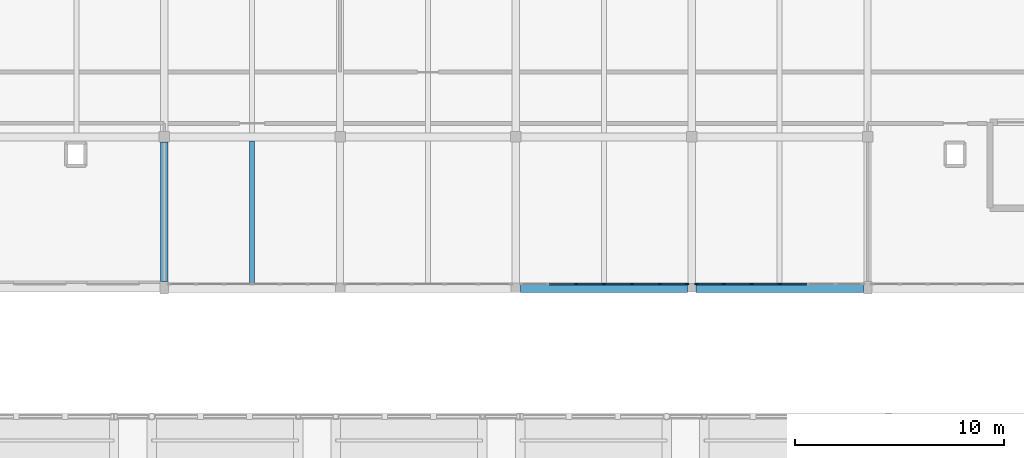
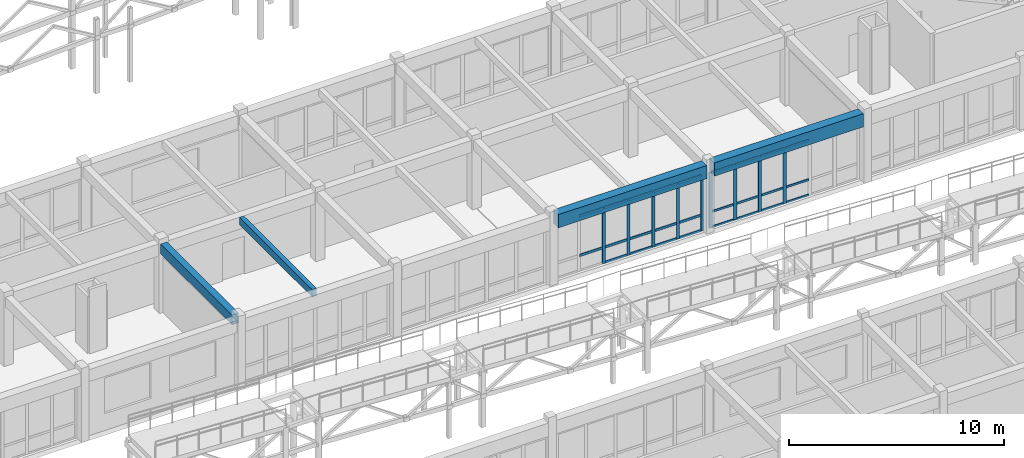
# One storey, part 30 of 89: 35 members, 4 beams, 2 elements without a shape of their own.
"""IFC4 building model written with IfcOpenShell, lengths in metres."""

from ifc_helpers import new_model, si_unit, direction, frame, origin, origin_2d, place, context, subcontext, project, spatial, rectangle, extrude, material, material_profile, profile_set, type_object, element, aggregate, save


model = new_model("IFC4")

# Units and contexts
model_context = context("Model", 3, precision=1e-05, world=origin(), true_north=direction((0.0, 1.0)))
body_context = subcontext(model_context, "Body", "Model", "MODEL_VIEW")
ifc_project = project(units=[si_unit("LENGTHUNIT", "METRE"), si_unit("AREAUNIT", "SQUARE_METRE"), si_unit("VOLUMEUNIT", "CUBIC_METRE"), si_unit("PLANEANGLEUNIT", "RADIAN"), si_unit("MASSUNIT", "GRAM", prefix="KILO")], contexts=[model_context])

# Site, building, storey
site_placement = place(None, origin())
site = spatial("IfcSite", under=ifc_project, at=site_placement, CompositionType="ELEMENT")
building_placement = place(site_placement, origin())
building = spatial("IfcBuilding", under=site, at=building_placement, Name="Malvenik Polytechnic", CompositionType="ELEMENT")
storey_placement = place(building_placement, frame((0.0, 0.0, 13.5)))
storey = spatial("IfcBuildingStorey", under=building, at=storey_placement, Name="L03", CompositionType="ELEMENT", Elevation=13.5)

# Curtain wall, members
ifc_material_1 = material(Name="Anodised aluminium 6060-T6", Category="aluminium")
curtain_wall_type = type_object("IfcCurtainWallType", Name="ARC-CW-CW-02", PredefinedType="NOTDEFINED", material=ifc_material_1)
curtain_wall_1_placement = place(storey_placement, origin())
curtain_wall_1 = element("IfcCurtainWall", 1, at=curtain_wall_1_placement, inside=storey, type_object=curtain_wall_type, Name="Unitised Curtain Wall CW-02 L03 #200", PredefinedType="NOTDEFINED")
ifc_material_2 = material(Name="Anodised aluminium", Category="aluminium")
ifc_material_profile_1 = material_profile(ifc_material_2, rectangle(XDim=0.06005859375, YDim=0.159912109375, at=origin_2d()), Name="ALU MULLION 60x160")
ifc_profile_set_1 = profile_set([ifc_material_profile_1], Name="Anodised aluminium")
member_type_1 = type_object("IfcMemberType", Name="ARC-CWM-160", PredefinedType="MULLION", material=ifc_profile_set_1)
member_1_placement = place(storey_placement, frame((58.572021484375, 79.3701171875, 0.0), z_axis=(0.0, 0.0, 1.0), x_axis=(0.0, -1.0, 0.0)))
member_1 = element("IfcMember", 2, at=member_1_placement, type_object=member_type_1, Name="CW-02 mullion 1", PredefinedType="MULLION", context=body_context, shape_type="SweptSolid", body=[
    extrude(rectangle(XDim=0.06005859375, YDim=0.159912109375, at=origin_2d()), origin(), (0.0, 0.0, 1.0), 3.159912109375),
])
member_2_placement = place(storey_placement, frame((57.272216796875, 79.3701171875, 0.0), z_axis=(0.0, 0.0, 1.0), x_axis=(0.0, -1.0, 0.0)))
member_2 = element("IfcMember", 3, at=member_2_placement, type_object=member_type_1, Name="CW-02 mullion 2", PredefinedType="MULLION", context=body_context, shape_type="SweptSolid", body=[
    extrude(rectangle(XDim=0.06005859375, YDim=0.159912109375, at=origin_2d()), origin(), (0.0, 0.0, 1.0), 3.159912109375),
])
member_3_placement = place(storey_placement, frame((55.9423828125, 79.3701171875, 0.0), z_axis=(0.0, 0.0, 1.0), x_axis=(0.0, -1.0, 0.0)))
member_3 = element("IfcMember", 4, at=member_3_placement, type_object=member_type_1, Name="CW-02 mullion 3", PredefinedType="MULLION", context=body_context, shape_type="SweptSolid", body=[
    extrude(rectangle(XDim=0.06005859375, YDim=0.159912109375, at=origin_2d()), origin(), (0.0, 0.0, 1.0), 3.159912109375),
])
member_4_placement = place(storey_placement, frame((54.612548828125, 79.3701171875, 0.0), z_axis=(0.0, 0.0, 1.0), x_axis=(0.0, -1.0, 0.0)))
member_4 = element("IfcMember", 5, at=member_4_placement, type_object=member_type_1, Name="CW-02 mullion 4", PredefinedType="MULLION", context=body_context, shape_type="SweptSolid", body=[
    extrude(rectangle(XDim=0.06005859375, YDim=0.159912109375, at=origin_2d()), origin(), (0.0, 0.0, 1.0), 3.159912109375),
])
member_5_placement = place(storey_placement, frame((53.28271484375, 79.3701171875, 0.0), z_axis=(0.0, 0.0, 1.0), x_axis=(0.0, -1.0, 0.0)))
member_5 = element("IfcMember", 6, at=member_5_placement, type_object=member_type_1, Name="CW-02 mullion 5", PredefinedType="MULLION", context=body_context, shape_type="SweptSolid", body=[
    extrude(rectangle(XDim=0.06005859375, YDim=0.159912109375, at=origin_2d()), origin(), (0.0, 0.0, 1.0), 3.159912109375),
])

curtain_wall_2_placement = place(storey_placement, origin())
curtain_wall_2 = element("IfcCurtainWall", 7, at=curtain_wall_2_placement, inside=storey, type_object=curtain_wall_type, Name="Unitised Curtain Wall CW-02 L03 #199", PredefinedType="NOTDEFINED")
ifc_material_profile_2 = material_profile(ifc_material_2, rectangle(XDim=0.06005859375, YDim=0.179931640625, at=origin_2d()), Name="ALU MULLION 60x180")
ifc_profile_set_2 = profile_set([ifc_material_profile_2], Name="Anodised aluminium")
member_type_2 = type_object("IfcMemberType", Name="ARC-CWM-180", PredefinedType="MULLION", material=ifc_profile_set_2)
member_6_placement = place(storey_placement, frame((63.0, 79.3701171875, 0.0), z_axis=(0.0, 0.0, 1.0), x_axis=(0.0, -1.0, 0.0)))
member_6 = element("IfcMember", 8, at=member_6_placement, type_object=member_type_2, Name="CW-02 mullion 4", PredefinedType="MULLION", context=body_context, shape_type="SweptSolid", body=[
    extrude(rectangle(XDim=0.06005859375, YDim=0.179931640625, at=origin_2d()), origin(), (0.0, 0.0, 1.0), 3.159912109375),
])
member_7_placement = place(storey_placement, frame((61.666015625, 79.3701171875, 0.0), z_axis=(0.0, 0.0, 1.0), x_axis=(0.0, -1.0, 0.0)))
member_7 = element("IfcMember", 9, at=member_7_placement, type_object=member_type_2, Name="CW-02 mullion 5", PredefinedType="MULLION", context=body_context, shape_type="SweptSolid", body=[
    extrude(rectangle(XDim=0.06005859375, YDim=0.179931640625, at=origin_2d()), origin(), (0.0, 0.0, 1.0), 3.159912109375),
])
member_8_placement = place(storey_placement, frame((60.33203125, 79.3701171875, 0.0), z_axis=(0.0, 0.0, 1.0), x_axis=(0.0, -1.0, 0.0)))
member_8 = element("IfcMember", 10, at=member_8_placement, type_object=member_type_2, Name="CW-02 mullion 6", PredefinedType="MULLION", context=body_context, shape_type="SweptSolid", body=[
    extrude(rectangle(XDim=0.06005859375, YDim=0.179931640625, at=origin_2d()), origin(), (0.0, 0.0, 1.0), 3.159912109375),
])
member_9_placement = place(storey_placement, frame((59.028076171875, 79.3701171875, 0.0), z_axis=(0.0, 0.0, 1.0), x_axis=(0.0, -1.0, 0.0)))
member_9 = element("IfcMember", 11, at=member_9_placement, type_object=member_type_2, Name="CW-02 mullion 7", PredefinedType="MULLION", context=body_context, shape_type="SweptSolid", body=[
    extrude(rectangle(XDim=0.06005859375, YDim=0.179931640625, at=origin_2d()), origin(), (0.0, 0.0, 1.0), 3.159912109375),
])
ifc_material_profile_3 = material_profile(ifc_material_2, rectangle(XDim=0.06005859375, YDim=0.1201171875, at=origin_2d()), Name="ALU TRANSOM 60x120")
ifc_profile_set_3 = profile_set([ifc_material_profile_3], Name="Anodised aluminium")
member_type_3 = type_object("IfcMemberType", Name="ARC-CWT-120", PredefinedType="USERDEFINED", material=ifc_profile_set_3)
member_10_placement = place(storey_placement, frame((64.303955078125, 79.3701171875, 0.030029296875), z_axis=(-1.0, 0.0, 0.0), x_axis=(0.0, -1.0, 0.0)))
member_10 = element("IfcMember", 12, at=member_10_placement, type_object=member_type_3, Name="CW-02 transom 3.1", ObjectType="TRANSOM", PredefinedType="USERDEFINED", context=body_context, shape_type="SweptSolid", body=[
    extrude(rectangle(XDim=0.06005859375, YDim=0.1201171875, at=origin_2d()), origin(), (0.0, 0.0, 1.0), 1.27392578125),
])
member_11_placement = place(storey_placement, frame((64.303955078125, 79.3701171875, 0.89990234375), z_axis=(-1.0, 0.0, 0.0), x_axis=(0.0, -1.0, 0.0)))
member_11 = element("IfcMember", 13, at=member_11_placement, type_object=member_type_3, Name="CW-02 transom 3.2", ObjectType="TRANSOM", PredefinedType="USERDEFINED", context=body_context, shape_type="SweptSolid", body=[
    extrude(rectangle(XDim=0.06005859375, YDim=0.1201171875, at=origin_2d()), origin(), (0.0, 0.0, 1.0), 1.27392578125),
])
member_12_placement = place(storey_placement, frame((64.303955078125, 79.3701171875, 3.1298828125), z_axis=(-1.0, 0.0, 0.0), x_axis=(0.0, -1.0, 0.0)))
member_12 = element("IfcMember", 14, at=member_12_placement, type_object=member_type_3, Name="CW-02 transom 3.3", ObjectType="TRANSOM", PredefinedType="USERDEFINED", context=body_context, shape_type="SweptSolid", body=[
    extrude(rectangle(XDim=0.06005859375, YDim=0.1201171875, at=origin_2d()), origin(), (0.0, 0.0, 1.0), 1.27392578125),
])
member_13_placement = place(storey_placement, frame((62.969970703125, 79.3701171875, 0.030029296875), z_axis=(-1.0, 0.0, 0.0), x_axis=(0.0, -1.0, 0.0)))
member_13 = element("IfcMember", 15, at=member_13_placement, type_object=member_type_3, Name="CW-02 transom 4.1", ObjectType="TRANSOM", PredefinedType="USERDEFINED", context=body_context, shape_type="SweptSolid", body=[
    extrude(rectangle(XDim=0.06005859375, YDim=0.1201171875, at=origin_2d()), origin(), (0.0, 0.0, 1.0), 1.27392578125),
])
member_14_placement = place(storey_placement, frame((62.969970703125, 79.3701171875, 0.89990234375), z_axis=(-1.0, 0.0, 0.0), x_axis=(0.0, -1.0, 0.0)))
member_14 = element("IfcMember", 16, at=member_14_placement, type_object=member_type_3, Name="CW-02 transom 4.2", ObjectType="TRANSOM", PredefinedType="USERDEFINED", context=body_context, shape_type="SweptSolid", body=[
    extrude(rectangle(XDim=0.06005859375, YDim=0.1201171875, at=origin_2d()), origin(), (0.0, 0.0, 1.0), 1.27392578125),
])
member_15_placement = place(storey_placement, frame((62.969970703125, 79.3701171875, 3.1298828125), z_axis=(-1.0, 0.0, 0.0), x_axis=(0.0, -1.0, 0.0)))
member_15 = element("IfcMember", 17, at=member_15_placement, type_object=member_type_3, Name="CW-02 transom 4.3", ObjectType="TRANSOM", PredefinedType="USERDEFINED", context=body_context, shape_type="SweptSolid", body=[
    extrude(rectangle(XDim=0.06005859375, YDim=0.1201171875, at=origin_2d()), origin(), (0.0, 0.0, 1.0), 1.27392578125),
])
member_16_placement = place(storey_placement, frame((61.635986328125, 79.3701171875, 0.030029296875), z_axis=(-1.0, 0.0, 0.0), x_axis=(0.0, -1.0, 0.0)))
member_16 = element("IfcMember", 18, at=member_16_placement, type_object=member_type_3, Name="CW-02 transom 5.1", ObjectType="TRANSOM", PredefinedType="USERDEFINED", context=body_context, shape_type="SweptSolid", body=[
    extrude(rectangle(XDim=0.06005859375, YDim=0.1201171875, at=origin_2d()), origin(), (0.0, 0.0, 1.0), 1.27392578125),
])
member_17_placement = place(storey_placement, frame((61.635986328125, 79.3701171875, 0.89990234375), z_axis=(-1.0, 0.0, 0.0), x_axis=(0.0, -1.0, 0.0)))
member_17 = element("IfcMember", 19, at=member_17_placement, type_object=member_type_3, Name="CW-02 transom 5.2", ObjectType="TRANSOM", PredefinedType="USERDEFINED", context=body_context, shape_type="SweptSolid", body=[
    extrude(rectangle(XDim=0.06005859375, YDim=0.1201171875, at=origin_2d()), origin(), (0.0, 0.0, 1.0), 1.27392578125),
])
member_18_placement = place(storey_placement, frame((61.635986328125, 79.3701171875, 3.1298828125), z_axis=(-1.0, 0.0, 0.0), x_axis=(0.0, -1.0, 0.0)))
member_18 = element("IfcMember", 20, at=member_18_placement, type_object=member_type_3, Name="CW-02 transom 5.3", ObjectType="TRANSOM", PredefinedType="USERDEFINED", context=body_context, shape_type="SweptSolid", body=[
    extrude(rectangle(XDim=0.06005859375, YDim=0.1201171875, at=origin_2d()), origin(), (0.0, 0.0, 1.0), 1.27392578125),
])
member_19_placement = place(storey_placement, frame((60.302001953125, 79.3701171875, 0.030029296875), z_axis=(-1.0, 0.0, 0.0), x_axis=(0.0, -1.0, 0.0)))
member_19 = element("IfcMember", 21, at=member_19_placement, type_object=member_type_3, Name="CW-02 transom 6.1", ObjectType="TRANSOM", PredefinedType="USERDEFINED", context=body_context, shape_type="SweptSolid", body=[
    extrude(rectangle(XDim=0.06005859375, YDim=0.1201171875, at=origin_2d()), origin(), (0.0, 0.0, 1.0), 1.243896484375),
])
member_20_placement = place(storey_placement, frame((60.302001953125, 79.3701171875, 0.89990234375), z_axis=(-1.0, 0.0, 0.0), x_axis=(0.0, -1.0, 0.0)))
member_20 = element("IfcMember", 22, at=member_20_placement, type_object=member_type_3, Name="CW-02 transom 6.2", ObjectType="TRANSOM", PredefinedType="USERDEFINED", context=body_context, shape_type="SweptSolid", body=[
    extrude(rectangle(XDim=0.06005859375, YDim=0.1201171875, at=origin_2d()), origin(), (0.0, 0.0, 1.0), 1.243896484375),
])
member_21_placement = place(storey_placement, frame((60.302001953125, 79.3701171875, 3.1298828125), z_axis=(-1.0, 0.0, 0.0), x_axis=(0.0, -1.0, 0.0)))
member_21 = element("IfcMember", 23, at=member_21_placement, type_object=member_type_3, Name="CW-02 transom 6.3", ObjectType="TRANSOM", PredefinedType="USERDEFINED", context=body_context, shape_type="SweptSolid", body=[
    extrude(rectangle(XDim=0.06005859375, YDim=0.1201171875, at=origin_2d()), origin(), (0.0, 0.0, 1.0), 1.243896484375),
])
aggregate(curtain_wall_2, [member_6, member_7, member_8, member_9, member_10, member_11, member_12, member_13, member_14, member_15, member_16, member_17, member_18, member_19, member_20, member_21])

# Member
ifc_material_profile_4 = material_profile(ifc_material_2, rectangle(XDim=0.06005859375, YDim=0.139892578125, at=origin_2d()), Name="ALU TRANSOM 60x140")
ifc_profile_set_4 = profile_set([ifc_material_profile_4], Name="Anodised aluminium")
member_type_4 = type_object("IfcMemberType", Name="ARC-CWT-140", PredefinedType="USERDEFINED", material=ifc_profile_set_4)
member_22_placement = place(storey_placement, frame((58.5419921875, 79.3701171875, 0.030029296875), z_axis=(-1.0, 0.0, 0.0), x_axis=(0.0, -1.0, 0.0)))
member_22 = element("IfcMember", 24, at=member_22_placement, type_object=member_type_4, Name="CW-02 transom 1.1", ObjectType="TRANSOM", PredefinedType="USERDEFINED", context=body_context, shape_type="SweptSolid", body=[
    extrude(rectangle(XDim=0.06005859375, YDim=0.139892578125, at=origin_2d()), origin(), (0.0, 0.0, 1.0), 1.23974609375),
])

member_23_placement = place(storey_placement, frame((58.5419921875, 79.3701171875, 0.89990234375), z_axis=(-1.0, 0.0, 0.0), x_axis=(0.0, -1.0, 0.0)))
member_23 = element("IfcMember", 25, at=member_23_placement, type_object=member_type_4, Name="CW-02 transom 1.2", ObjectType="TRANSOM", PredefinedType="USERDEFINED", context=body_context, shape_type="SweptSolid", body=[
    extrude(rectangle(XDim=0.06005859375, YDim=0.139892578125, at=origin_2d()), origin(), (0.0, 0.0, 1.0), 1.23974609375),
])

member_24_placement = place(storey_placement, frame((58.5419921875, 79.3701171875, 3.1298828125), z_axis=(-1.0, 0.0, 0.0), x_axis=(0.0, -1.0, 0.0)))
member_24 = element("IfcMember", 26, at=member_24_placement, type_object=member_type_4, Name="CW-02 transom 1.3", ObjectType="TRANSOM", PredefinedType="USERDEFINED", context=body_context, shape_type="SweptSolid", body=[
    extrude(rectangle(XDim=0.06005859375, YDim=0.139892578125, at=origin_2d()), origin(), (0.0, 0.0, 1.0), 1.23974609375),
])

member_25_placement = place(storey_placement, frame((57.2421875, 79.3701171875, 0.030029296875), z_axis=(-1.0, 0.0, 0.0), x_axis=(0.0, -1.0, 0.0)))
member_25 = element("IfcMember", 27, at=member_25_placement, type_object=member_type_4, Name="CW-02 transom 2.1", ObjectType="TRANSOM", PredefinedType="USERDEFINED", context=body_context, shape_type="SweptSolid", body=[
    extrude(rectangle(XDim=0.06005859375, YDim=0.139892578125, at=origin_2d()), origin(), (0.0, 0.0, 1.0), 1.269775390625),
])

member_26_placement = place(storey_placement, frame((57.2421875, 79.3701171875, 0.89990234375), z_axis=(-1.0, 0.0, 0.0), x_axis=(0.0, -1.0, 0.0)))
member_26 = element("IfcMember", 28, at=member_26_placement, type_object=member_type_4, Name="CW-02 transom 2.2", ObjectType="TRANSOM", PredefinedType="USERDEFINED", context=body_context, shape_type="SweptSolid", body=[
    extrude(rectangle(XDim=0.06005859375, YDim=0.139892578125, at=origin_2d()), origin(), (0.0, 0.0, 1.0), 1.269775390625),
])

member_27_placement = place(storey_placement, frame((57.2421875, 79.3701171875, 3.1298828125), z_axis=(-1.0, 0.0, 0.0), x_axis=(0.0, -1.0, 0.0)))
member_27 = element("IfcMember", 29, at=member_27_placement, type_object=member_type_4, Name="CW-02 transom 2.3", ObjectType="TRANSOM", PredefinedType="USERDEFINED", context=body_context, shape_type="SweptSolid", body=[
    extrude(rectangle(XDim=0.06005859375, YDim=0.139892578125, at=origin_2d()), origin(), (0.0, 0.0, 1.0), 1.269775390625),
])

member_28_placement = place(storey_placement, frame((55.912353515625, 79.3701171875, 0.030029296875), z_axis=(-1.0, 0.0, 0.0), x_axis=(0.0, -1.0, 0.0)))
member_28 = element("IfcMember", 30, at=member_28_placement, type_object=member_type_4, Name="CW-02 transom 3.1", ObjectType="TRANSOM", PredefinedType="USERDEFINED", context=body_context, shape_type="SweptSolid", body=[
    extrude(rectangle(XDim=0.06005859375, YDim=0.139892578125, at=origin_2d()), origin(), (0.0, 0.0, 1.0), 1.269775390625),
])

member_29_placement = place(storey_placement, frame((55.912353515625, 79.3701171875, 0.89990234375), z_axis=(-1.0, 0.0, 0.0), x_axis=(0.0, -1.0, 0.0)))
member_29 = element("IfcMember", 31, at=member_29_placement, type_object=member_type_4, Name="CW-02 transom 3.2", ObjectType="TRANSOM", PredefinedType="USERDEFINED", context=body_context, shape_type="SweptSolid", body=[
    extrude(rectangle(XDim=0.06005859375, YDim=0.139892578125, at=origin_2d()), origin(), (0.0, 0.0, 1.0), 1.269775390625),
])

member_30_placement = place(storey_placement, frame((55.912353515625, 79.3701171875, 3.1298828125), z_axis=(-1.0, 0.0, 0.0), x_axis=(0.0, -1.0, 0.0)))
member_30 = element("IfcMember", 32, at=member_30_placement, type_object=member_type_4, Name="CW-02 transom 3.3", ObjectType="TRANSOM", PredefinedType="USERDEFINED", context=body_context, shape_type="SweptSolid", body=[
    extrude(rectangle(XDim=0.06005859375, YDim=0.139892578125, at=origin_2d()), origin(), (0.0, 0.0, 1.0), 1.269775390625),
])

member_31_placement = place(storey_placement, frame((54.58251953125, 79.3701171875, 0.030029296875), z_axis=(-1.0, 0.0, 0.0), x_axis=(0.0, -1.0, 0.0)))
member_31 = element("IfcMember", 33, at=member_31_placement, type_object=member_type_4, Name="CW-02 transom 4.1", ObjectType="TRANSOM", PredefinedType="USERDEFINED", context=body_context, shape_type="SweptSolid", body=[
    extrude(rectangle(XDim=0.06005859375, YDim=0.139892578125, at=origin_2d()), origin(), (0.0, 0.0, 1.0), 1.269775390625),
])

member_32_placement = place(storey_placement, frame((54.58251953125, 79.3701171875, 0.89990234375), z_axis=(-1.0, 0.0, 0.0), x_axis=(0.0, -1.0, 0.0)))
member_32 = element("IfcMember", 34, at=member_32_placement, type_object=member_type_4, Name="CW-02 transom 4.2", ObjectType="TRANSOM", PredefinedType="USERDEFINED", context=body_context, shape_type="SweptSolid", body=[
    extrude(rectangle(XDim=0.06005859375, YDim=0.139892578125, at=origin_2d()), origin(), (0.0, 0.0, 1.0), 1.269775390625),
])

member_33_placement = place(storey_placement, frame((54.58251953125, 79.3701171875, 3.1298828125), z_axis=(-1.0, 0.0, 0.0), x_axis=(0.0, -1.0, 0.0)))
member_33 = element("IfcMember", 35, at=member_33_placement, type_object=member_type_4, Name="CW-02 transom 4.3", ObjectType="TRANSOM", PredefinedType="USERDEFINED", context=body_context, shape_type="SweptSolid", body=[
    extrude(rectangle(XDim=0.06005859375, YDim=0.139892578125, at=origin_2d()), origin(), (0.0, 0.0, 1.0), 1.269775390625),
])

member_34_placement = place(storey_placement, frame((53.252685546875, 79.3701171875, 0.89990234375), z_axis=(-1.0, 0.0, 0.0), x_axis=(0.0, -1.0, 0.0)))
member_34 = element("IfcMember", 36, at=member_34_placement, type_object=member_type_4, Name="CW-02 transom 5.2", ObjectType="TRANSOM", PredefinedType="USERDEFINED", context=body_context, shape_type="SweptSolid", body=[
    extrude(rectangle(XDim=0.06005859375, YDim=0.139892578125, at=origin_2d()), origin(), (0.0, 0.0, 1.0), 1.269775390625),
])

member_35_placement = place(storey_placement, frame((53.252685546875, 79.3701171875, 3.1298828125), z_axis=(-1.0, 0.0, 0.0), x_axis=(0.0, -1.0, 0.0)))
member_35 = element("IfcMember", 37, at=member_35_placement, type_object=member_type_4, Name="CW-02 transom 5.3", ObjectType="TRANSOM", PredefinedType="USERDEFINED", context=body_context, shape_type="SweptSolid", body=[
    extrude(rectangle(XDim=0.06005859375, YDim=0.139892578125, at=origin_2d()), origin(), (0.0, 0.0, 1.0), 1.269775390625),
])

aggregate(curtain_wall_1, [member_1, member_2, member_3, member_4, member_5, member_22, member_23, member_24, member_25, member_26, member_27, member_28, member_29, member_30, member_31, member_32, member_33, member_34, member_35])

# Beams
ifc_material_3 = material(Name="Concrete C35/45", Category="concrete")
ifc_material_profile_5 = material_profile(ifc_material_3, rectangle(XDim=0.35009765625, YDim=0.550048828125, at=origin_2d()), Name="RC BM 350x550")
ifc_profile_set_5 = profile_set([ifc_material_profile_5], Name="Concrete C35/45")
beam_type_1 = type_object("IfcBeamType", Name="STR-BM-B-08", PredefinedType="BEAM", material=ifc_profile_set_5)
beam_1_placement = place(storey_placement, frame((33.60009765625, 79.498046875, 3.64501953125), z_axis=(0.0, 1.0, 0.0), x_axis=(-1.0, 0.0, 0.0)))
element("IfcBeam", 38, at=beam_1_placement, inside=storey, type_object=beam_type_1, Name="Transverse Beam B-08 L03 #1735", PredefinedType="BEAM", context=body_context, shape_type="SweptSolid", body=[
    extrude(rectangle(XDim=0.35009765625, YDim=0.550048828125, at=origin_2d()), origin(), (0.0, 0.0, 1.0), 6.654052734375),
])
ifc_material_4 = material(Name="Concrete C30/37", Category="concrete")
ifc_material_profile_6 = material_profile(ifc_material_4, rectangle(XDim=0.239990234375, YDim=0.419921875, at=origin_2d()), Name="RC JST 240x420")
ifc_profile_set_6 = profile_set([ifc_material_profile_6], Name="Concrete C30/37")
beam_type_2 = type_object("IfcBeamType", Name="STR-BM-J-03", PredefinedType="JOIST", material=ifc_profile_set_6)
beam_2_placement = place(storey_placement, frame((37.800048828125, 79.427978515625, 3.7099609375), z_axis=(0.0, 1.0, 0.0), x_axis=(-1.0, 0.0, 0.0)))
element("IfcBeam", 39, at=beam_2_placement, inside=storey, type_object=beam_type_2, Name="Secondary Rib Joist J-03 L03 #1792", PredefinedType="JOIST", context=body_context, shape_type="SweptSolid", body=[
    extrude(rectangle(XDim=0.239990234375, YDim=0.419921875, at=origin_2d()), origin(), (0.0, 0.0, 1.0), 6.77392578125),
])
ifc_material_5 = material(Name="Precast concrete C40/50", Category="concrete")
ifc_material_profile_7 = material_profile(ifc_material_5, rectangle(XDim=0.4599609375, YDim=0.75, at=origin_2d()), Name="PC SPN 460x750")
ifc_profile_set_7 = profile_set([ifc_material_profile_7], Name="Precast concrete C40/50")
beam_type_3 = type_object("IfcBeamType", Name="STR-BM-SP-02", PredefinedType="SPANDREL", material=ifc_profile_set_7)
beam_3_placement = place(storey_placement, frame((50.623046875, 79.199951171875, 3.544921875), z_axis=(1.0, 0.0, 0.0), x_axis=(0.0, 1.0, 0.0)))
element("IfcBeam", 40, at=beam_3_placement, inside=storey, type_object=beam_type_3, Name="Primary Beam SP-02 L03 #1640", PredefinedType="SPANDREL", context=body_context, shape_type="SweptSolid", body=[
    extrude(rectangle(XDim=0.4599609375, YDim=0.75, at=origin_2d()), origin(), (0.0, 0.0, 1.0), 7.97900390625),
])
beam_4_placement = place(storey_placement, frame((58.998046875, 79.199951171875, 3.544921875), z_axis=(1.0, 0.0, 0.0), x_axis=(0.0, 1.0, 0.0)))
element("IfcBeam", 41, at=beam_4_placement, inside=storey, type_object=beam_type_3, Name="Primary Beam SP-02 L03 #1641", PredefinedType="SPANDREL", context=body_context, shape_type="SweptSolid", body=[
    extrude(rectangle(XDim=0.4599609375, YDim=0.75, at=origin_2d()), origin(), (0.0, 0.0, 1.0), 8.00390625),
])

save(model, "model.ifc")
